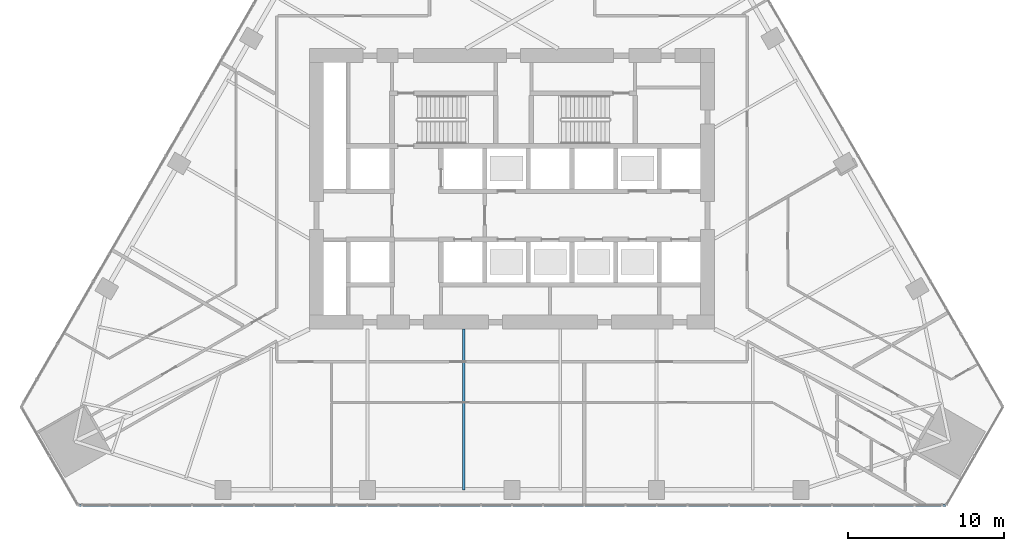
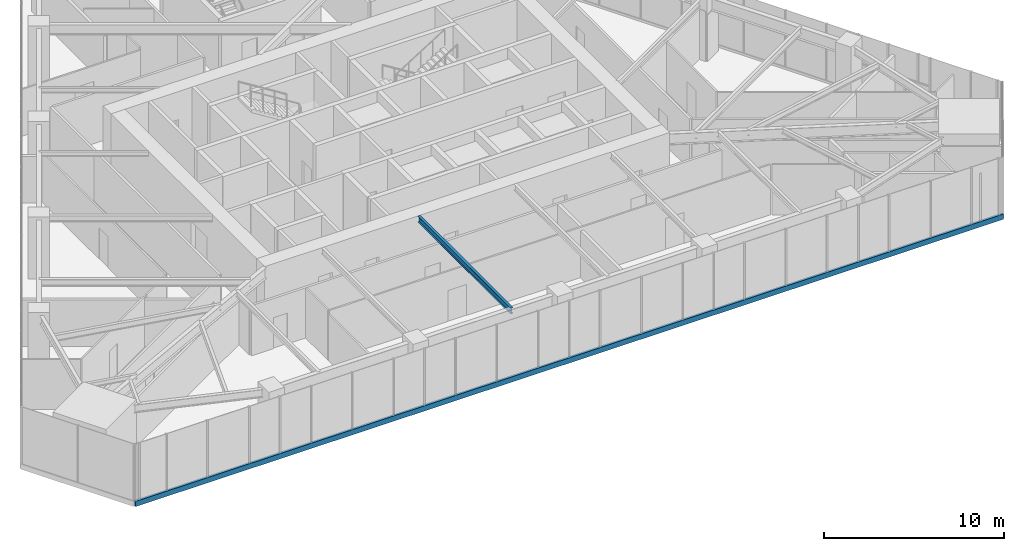
# One storey, part 3 of 22: 1 beam, 1 member, 1 element without a shape of its own.
"""IFC4 building model written with IfcOpenShell, lengths in metres."""

from ifc_helpers import new_model, si_unit, direction, frame, origin, origin_2d, place, context, subcontext, project, spatial, rectangle, i_section, extrude, material, layer, layer_set, material_profile, profile_set, type_object, element, aggregate, save


model = new_model("IFC4")

# Units and contexts
model_context = context("Model", 3, precision=1e-05, world=origin(), true_north=direction((0.0, 1.0)))
body_context = subcontext(model_context, "Body", "Model", "MODEL_VIEW")
ifc_project = project(units=[si_unit("LENGTHUNIT", "METRE"), si_unit("AREAUNIT", "SQUARE_METRE"), si_unit("VOLUMEUNIT", "CUBIC_METRE"), si_unit("PLANEANGLEUNIT", "RADIAN"), si_unit("MASSUNIT", "GRAM", prefix="KILO")], contexts=[model_context])

# Site, building, storey
site_placement = place(None, origin())
site = spatial("IfcSite", under=ifc_project, at=site_placement, CompositionType="ELEMENT")
building_placement = place(site_placement, origin())
building = spatial("IfcBuilding", under=site, at=building_placement, Name="Firuza Gate Tower and Library", CompositionType="ELEMENT")
storey_placement = place(building_placement, frame((0.0, 0.0, 132.39990234375)))
storey = spatial("IfcBuildingStorey", under=building, at=storey_placement, Name="L30", CompositionType="ELEMENT", Elevation=132.39990234375)

# Curtain wall, member
ifc_material_1 = material(Name="Aluminium 6063-T6", Category="aluminium")
ifc_layer = layer(ifc_material_1, 0.14990234375)
ifc_layer_set = layer_set([ifc_layer], Name="Unitised curtain wall, offices")
curtain_wall_type = type_object("IfcCurtainWallType", Name="Unitised curtain wall, offices", PredefinedType="NOTDEFINED", material=ifc_layer_set)
curtain_wall_placement = place(storey_placement, origin())
curtain_wall = element("IfcCurtainWall", 1, at=curtain_wall_placement, inside=storey, type_object=curtain_wall_type, Name="CW1 L30 S face", PredefinedType="NOTDEFINED")
ifc_material_2 = material(Name="Aluminium 6063-T6", Category="aluminium")
ifc_material_profile_1 = material_profile(ifc_material_2, rectangle(XDim=0.14990234375, YDim=0.35009765625, at=origin_2d()))
ifc_profile_set_1 = profile_set([ifc_material_profile_1], Name="Aluminium 6063-T6")
member_type = type_object("IfcMemberType", Name="Curtain wall transom 350x150", PredefinedType="USERDEFINED", material=ifc_profile_set_1)
member_placement = place(storey_placement, frame((47.139892578125, 54.7080078125, -0.02490234375), z_axis=(1.0, 0.0, 0.0), x_axis=(0.0, 1.0, 0.0)))
member = element("IfcMember", 2, at=member_placement, type_object=member_type, Name="Transom", ObjectType="TRANSOM", PredefinedType="USERDEFINED", context=body_context, shape_type="SweptSolid", body=[
    extrude(rectangle(XDim=0.14990234375, YDim=0.35009765625, at=origin_2d()), origin(), (0.0, 0.0, 1.0), 55.72021484375),
])
aggregate(curtain_wall, [member])

# Beam
ifc_material_3 = material(Name="Steel S355", Category="steel")
ifc_material_profile_2 = material_profile(ifc_material_3, i_section(OverallWidth=0.177978515625, OverallDepth=0.406982421875, WebThickness=0.0078125, FlangeThickness=0.0126953125, at=origin_2d()))
ifc_profile_set_2 = profile_set([ifc_material_profile_2], Name="Steel S355")
beam_type = type_object("IfcBeamType", Name="W410x60 Floor beam", PredefinedType="JOIST", material=ifc_profile_set_2)
beam_placement = place(storey_placement, frame((71.9091796875, 55.68310546875, 3.796630859375), z_axis=(0.0, 1.0, 0.0), x_axis=(-1.0, 0.0, 0.0)))
element("IfcBeam", 3, at=beam_placement, inside=storey, type_object=beam_type, Name="Floor beam L30 s22", PredefinedType="JOIST", context=body_context, shape_type="SweptSolid", body=[
    extrude(i_section(OverallWidth=0.177978515625, OverallDepth=0.406982421875, WebThickness=0.0078125, FlangeThickness=0.0126953125, at=origin_2d()), origin(), (0.0, 0.0, 1.0), 10.31689453125),
])

save(model, "model.ifc")
